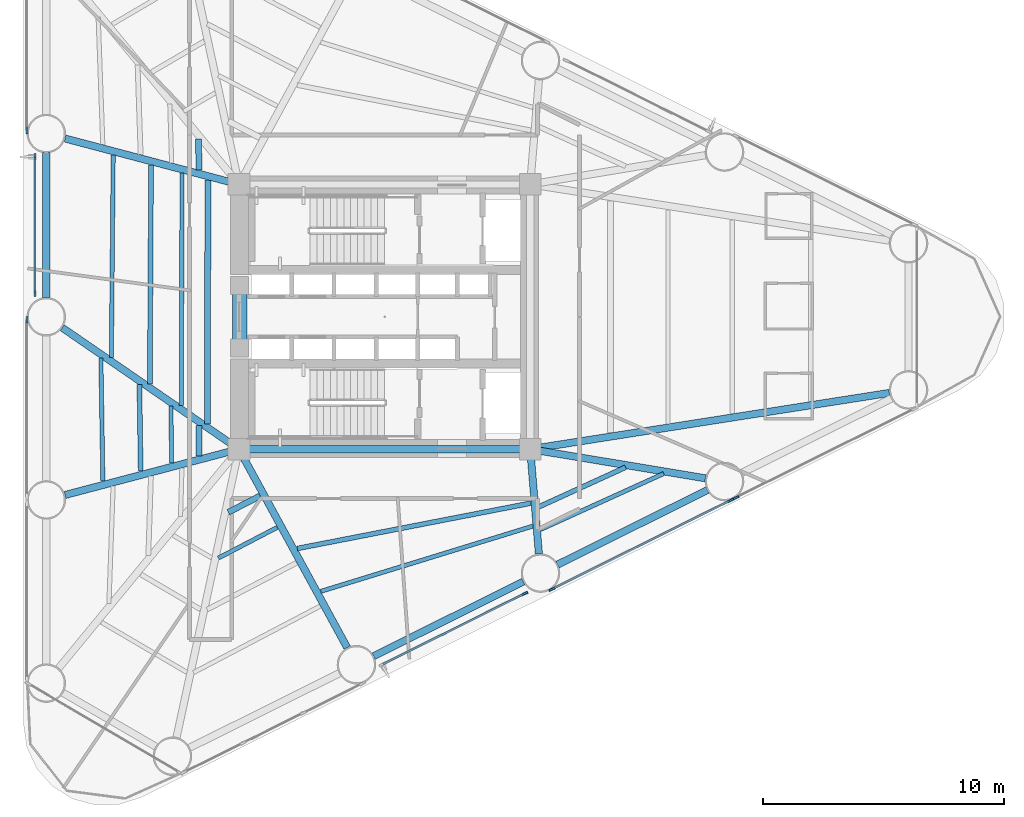
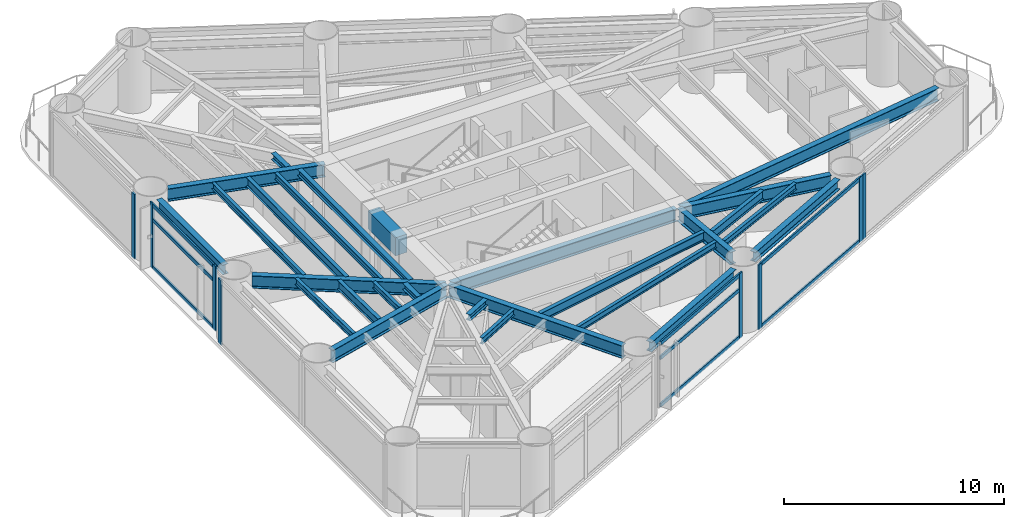
# One storey, part 2 of 10: 27 beams, 16 members, 6 elements without a shape of their own.
"""IFC4 building model written with IfcOpenShell, lengths in metres."""

from ifc_helpers import new_model, si_unit, direction, frame, origin, origin_2d, place, context, subcontext, project, spatial, rectangle, i_section, extrude, source, transform, mapped, material, layer, layer_set, material_profile, profile_set, type_object, element, aggregate, save


model = new_model("IFC4")

# Units and contexts
model_context = context("Model", 3, precision=1e-05, world=origin(), true_north=direction((0.0, 1.0)))
body_context = subcontext(model_context, "Body", "Model", "MODEL_VIEW")
ifc_project = project(units=[si_unit("LENGTHUNIT", "METRE"), si_unit("AREAUNIT", "SQUARE_METRE"), si_unit("VOLUMEUNIT", "CUBIC_METRE"), si_unit("PLANEANGLEUNIT", "RADIAN"), si_unit("MASSUNIT", "GRAM", prefix="KILO")], contexts=[model_context])

# Site, building, storey
site_placement = place(None, origin())
site = spatial("IfcSite", under=ifc_project, at=site_placement, CompositionType="ELEMENT")
building_placement = place(site_placement, origin())
building = spatial("IfcBuilding", under=site, at=building_placement, Name="Yunling Apex Tower", CompositionType="ELEMENT")
storey_placement = place(building_placement, frame((0.0, 0.0, 34.89990234375)))
storey = spatial("IfcBuildingStorey", under=building, at=storey_placement, Name="L10", CompositionType="ELEMENT", Elevation=34.89990234375)

# Beams
ifc_material_1 = material(Name="Concrete C60", Category="concrete")
ifc_material_profile_1 = material_profile(ifc_material_1, rectangle(XDim=0.60009765625, YDim=1.0, at=origin_2d()))
ifc_profile_set_1 = profile_set([ifc_material_profile_1], Name="Concrete C60")
beam_type_1 = type_object("IfcBeamType", Name="BC-CPL-1", PredefinedType="BEAM", material=ifc_profile_set_1)
shared_shape_1 = source(origin(), body_context, "Body", "SweptSolid", [
    extrude(rectangle(XDim=0.60009765625, YDim=1.0, at=origin_2d()), origin(), (0.0, 0.0, 1.0), 2.5),
])
beam_1_placement = place(storey_placement, frame((-6.02490234375, -1.25, 3.01513671875), z_axis=(0.0, 1.0, 0.0), x_axis=(-1.0, 0.0, 0.0)))
element("IfcBeam", 1, at=beam_1_placement, inside=storey, type_object=beam_type_1, Name="L10 Core West Portal Coupling Beam", PredefinedType="BEAM", context=body_context, shape_type="MappedRepresentation", body=[
    mapped(shared_shape_1, transform((0.0, 0.0, 0.0), scale=1.0)),
])
ifc_material_2 = material(Name="Steel Q355B", Category="steel")
ifc_material_profile_2 = material_profile(ifc_material_2, i_section(OverallWidth=0.300048828125, OverallDepth=0.699951171875, WebThickness=0.012939453125, FlangeThickness=0.02392578125, FilletRadius=0.02587890625, at=origin_2d()))
ifc_profile_set_2 = profile_set([ifc_material_profile_2], Name="Steel Q355B")
beam_type_2 = type_object("IfcBeamType", Name="BG-PRI-3", PredefinedType="USERDEFINED", material=ifc_profile_set_2)
shared_shape_2 = source(origin(), body_context, "Body", "SweptSolid", [
    extrude(i_section(OverallWidth=0.300048828125, OverallDepth=0.699951171875, WebThickness=0.012939453125, FlangeThickness=0.02392578125, FilletRadius=0.02587890625, at=origin_2d()), origin(), (0.0, 0.0, 1.0), 11.7998046875),
])
beam_2_placement = place(storey_placement, frame((-5.89990234375, -5.5, 3.1650390625), z_axis=(1.0, 0.0, 0.0), x_axis=(0.0, 1.0, 0.0)))
element("IfcBeam", 2, at=beam_2_placement, inside=storey, type_object=beam_type_2, Name="L10 Core Ring Tie Beam 1", ObjectType="GIRDER", PredefinedType="USERDEFINED", context=body_context, shape_type="MappedRepresentation", body=[
    mapped(shared_shape_2, transform((0.0, 0.0, 0.0), scale=1.0)),
])
ifc_material_profile_3 = material_profile(ifc_material_2, i_section(OverallWidth=0.300048828125, OverallDepth=0.5400390625, WebThickness=0.011962890625, FlangeThickness=0.02001953125, FilletRadius=0.02392578125, at=origin_2d()))
ifc_profile_set_3 = profile_set([ifc_material_profile_3], Name="Steel Q355B")
beam_type_3 = type_object("IfcBeamType", Name="BP-SPN-1", PredefinedType="SPANDREL", material=ifc_profile_set_3)
shared_shape_3 = source(origin(), body_context, "Body", "SweptSolid", [
    extrude(i_section(OverallWidth=0.300048828125, OverallDepth=0.5400390625, WebThickness=0.011962890625, FlangeThickness=0.02001953125, FilletRadius=0.02392578125, at=origin_2d()), origin(), (0.0, 0.0, 1.0), 6.950927734375),
])
beam_3_placement = place(storey_placement, frame((-0.456298828125, -14.099365234375, 3.2451171875), z_axis=(0.895247556401, 0.445569088646, 0.0), x_axis=(-0.445569088646, 0.895247556401, 0.0)))
element("IfcBeam", 3, at=beam_3_placement, inside=storey, type_object=beam_type_3, Name="L10 Perimeter Spandrel Beam 2", PredefinedType="SPANDREL", context=body_context, shape_type="MappedRepresentation", body=[
    mapped(shared_shape_3, transform((0.0, 0.0, 0.0), scale=1.0)),
])
shared_shape_4 = source(origin(), body_context, "Body", "SweptSolid", [
    extrude(i_section(OverallWidth=0.300048828125, OverallDepth=0.5400390625, WebThickness=0.011962890625, FlangeThickness=0.02001953125, FilletRadius=0.02392578125, at=origin_2d()), origin(), (0.0, 0.0, 1.0), 6.95068359375),
])
beam_4_placement = place(storey_placement, frame((7.188232421875, -10.29443359375, 3.2451171875), z_axis=(0.895254593944, 0.445554948375, 0.0), x_axis=(-0.445554948375, 0.895254593944, 0.0)))
element("IfcBeam", 4, at=beam_4_placement, inside=storey, type_object=beam_type_3, Name="L10 Perimeter Spandrel Beam 3", PredefinedType="SPANDREL", context=body_context, shape_type="MappedRepresentation", body=[
    mapped(shared_shape_4, transform((0.0, 0.0, 0.0), scale=1.0)),
])
shared_shape_5 = source(origin(), body_context, "Body", "SweptSolid", [
    extrude(i_section(OverallWidth=0.300048828125, OverallDepth=0.5400390625, WebThickness=0.011962890625, FlangeThickness=0.02001953125, FilletRadius=0.02392578125, at=origin_2d()), origin(), (0.0, 0.0, 1.0), 6.021484375),
])
beam_5_placement = place(storey_placement, frame((-14.052001953125, 6.8154296875, 3.2451171875), z_axis=(0.0, -1.0, 0.0), x_axis=(1.0, 0.0, 0.0)))
element("IfcBeam", 5, at=beam_5_placement, inside=storey, type_object=beam_type_3, Name="L10 Perimeter Spandrel Beam 12", PredefinedType="SPANDREL", context=body_context, shape_type="MappedRepresentation", body=[
    mapped(shared_shape_5, transform((0.0, 0.0, 0.0), scale=1.0)),
])
shared_shape_6 = source(origin(), body_context, "Body", "SweptSolid", [
    extrude(i_section(OverallWidth=0.300048828125, OverallDepth=0.699951171875, WebThickness=0.012939453125, FlangeThickness=0.02392578125, FilletRadius=0.02587890625, at=origin_2d()), origin(), (0.0, 0.0, 1.0), 9.31005859375),
])
beam_6_placement = place(storey_placement, frame((-1.553955078125, -13.74365234375, 3.1650390625), z_axis=(-0.478817221141, 0.877914613581, 0.0), x_axis=(-0.877914613581, -0.478817221141, 0.0)))
element("IfcBeam", 6, at=beam_6_placement, inside=storey, type_object=beam_type_2, Name="L10 Radial Primary Girder R02", ObjectType="GIRDER", PredefinedType="USERDEFINED", context=body_context, shape_type="MappedRepresentation", body=[
    mapped(shared_shape_6, transform((0.0, 0.0, 0.0), scale=1.0)),
])
shared_shape_7 = source(origin(), body_context, "Body", "SweptSolid", [
    extrude(i_section(OverallWidth=0.300048828125, OverallDepth=0.699951171875, WebThickness=0.012939453125, FlangeThickness=0.02392578125, FilletRadius=0.02587890625, at=origin_2d()), origin(), (0.0, 0.0, 1.0), 4.278076171875),
])
beam_7_placement = place(storey_placement, frame((6.41064453125, -9.843017578125, 3.1650390625), z_axis=(-0.082747937789, 0.996570508691, 0.0), x_axis=(-0.996570508691, -0.082747937789, 0.0)))
element("IfcBeam", 7, at=beam_7_placement, inside=storey, type_object=beam_type_2, Name="L10 Radial Primary Girder R03", ObjectType="GIRDER", PredefinedType="USERDEFINED", context=body_context, shape_type="MappedRepresentation", body=[
    mapped(shared_shape_7, transform((0.0, 0.0, 0.0), scale=1.0)),
])
shared_shape_8 = source(origin(), body_context, "Body", "SweptSolid", [
    extrude(i_section(OverallWidth=0.300048828125, OverallDepth=0.699951171875, WebThickness=0.012939453125, FlangeThickness=0.02392578125, FilletRadius=0.02587890625, at=origin_2d()), origin(), (0.0, 0.0, 1.0), 7.294921875),
])
beam_8_placement = place(storey_placement, frame((13.32470703125, -6.7109375, 3.1650390625), z_axis=(-0.98642827455, 0.164192750049, 0.0), x_axis=(-0.164192750049, -0.98642827455, 0.0)))
element("IfcBeam", 8, at=beam_8_placement, inside=storey, type_object=beam_type_2, Name="L10 Radial Primary Girder R04", ObjectType="GIRDER", PredefinedType="USERDEFINED", context=body_context, shape_type="MappedRepresentation", body=[
    mapped(shared_shape_8, transform((0.0, 0.0, 0.0), scale=1.0)),
])
shared_shape_9 = source(origin(), body_context, "Body", "SweptSolid", [
    extrude(i_section(OverallWidth=0.300048828125, OverallDepth=0.699951171875, WebThickness=0.012939453125, FlangeThickness=0.02392578125, FilletRadius=0.02587890625, at=origin_2d()), origin(), (0.0, 0.0, 1.0), 15.02001953125),
])
beam_9_placement = place(storey_placement, frame((20.968017578125, -3.163818359375, 3.1650390625), z_axis=(-0.987959991473, -0.154709583568, 0.0), x_axis=(0.154709583568, -0.987959991473, 0.0)))
element("IfcBeam", 9, at=beam_9_placement, inside=storey, type_object=beam_type_2, Name="L10 Radial Primary Girder R05", ObjectType="GIRDER", PredefinedType="USERDEFINED", context=body_context, shape_type="MappedRepresentation", body=[
    mapped(shared_shape_9, transform((0.0, 0.0, 0.0), scale=1.0)),
])
shared_shape_10 = source(origin(), body_context, "Body", "SweptSolid", [
    extrude(i_section(OverallWidth=0.300048828125, OverallDepth=0.699951171875, WebThickness=0.012939453125, FlangeThickness=0.02392578125, FilletRadius=0.02587890625, at=origin_2d()), origin(), (0.0, 0.0, 1.0), 7.387451171875),
])
for number, where, z_axis, x_axis, name in (
    (10, (-13.270751953125, 7.403564453125, 3.1650390625), (0.966966571797, -0.25490321502, 0.0), (0.25490321502, 0.966966571797, 0.0), "L10 Radial Primary Girder R12"),
    (11, (-13.270751953125, -7.403564453125, 3.1650390625), (0.966966571797, 0.25490321502, 0.0), (-0.25490321502, 0.966966571797, 0.0), "L10 Radial Primary Girder R14"),
):
    element("IfcBeam", number, at=place(storey_placement, frame(where, z_axis=z_axis, x_axis=x_axis)), inside=storey, type_object=beam_type_2, Name=name, ObjectType="GIRDER", PredefinedType="USERDEFINED", context=body_context, shape_type="MappedRepresentation", body=[
        mapped(shared_shape_10, transform((0.0, 0.0, 0.0), scale=1.0)),
    ])
shared_shape_11 = source(origin(), body_context, "Body", "SweptSolid", [
    extrude(i_section(OverallWidth=0.300048828125, OverallDepth=0.699951171875, WebThickness=0.012939453125, FlangeThickness=0.02392578125, FilletRadius=0.02587890625, at=origin_2d()), origin(), (0.0, 0.0, 1.0), 8.821533203125),
])
beam_10_placement = place(storey_placement, frame((-13.385986328125, -0.457763671875, 3.1650390625), z_axis=(0.824111362877, -0.566427807912, 0.0), x_axis=(0.566427807912, 0.824111362877, 0.0)))
element("IfcBeam", 12, at=beam_10_placement, inside=storey, type_object=beam_type_2, Name="L10 Radial Primary Girder R13", ObjectType="GIRDER", PredefinedType="USERDEFINED", context=body_context, shape_type="MappedRepresentation", body=[
    mapped(shared_shape_11, transform((0.0, 0.0, 0.0), scale=1.0)),
])
ifc_material_profile_4 = material_profile(ifc_material_2, i_section(OverallWidth=0.175048828125, OverallDepth=0.35009765625, WebThickness=0.007080078125, FlangeThickness=0.010986328125, FilletRadius=0.013916015625, at=origin_2d()))
ifc_profile_set_4 = profile_set([ifc_material_profile_4], Name="Steel Q355B")
beam_type_4 = type_object("IfcBeamType", Name="BJ-JST-1", PredefinedType="JOIST", material=ifc_profile_set_4)
shared_shape_12 = source(origin(), body_context, "Body", "SweptSolid", [
    extrude(i_section(OverallWidth=0.175048828125, OverallDepth=0.35009765625, WebThickness=0.007080078125, FlangeThickness=0.010986328125, FilletRadius=0.013916015625, at=origin_2d()), origin(), (0.0, 0.0, 1.0), 2.7548828125),
])
beam_11_placement = place(storey_placement, frame((-6.903076171875, -10.0224609375, 3.340087890625), z_axis=(0.886932237595, 0.461899562584, 0.0), x_axis=(-0.461899562584, 0.886932237595, 0.0)))
element("IfcBeam", 13, at=beam_11_placement, inside=storey, type_object=beam_type_4, Name="L10 Composite Floor Joist BJ3-1", PredefinedType="JOIST", context=body_context, shape_type="MappedRepresentation", body=[
    mapped(shared_shape_12, transform((0.0, 0.0, 0.0), scale=1.0)),
])
ifc_material_profile_5 = material_profile(ifc_material_2, i_section(OverallWidth=0.25, OverallDepth=0.340087890625, WebThickness=0.009033203125, FlangeThickness=0.013916015625, FilletRadius=0.01806640625, at=origin_2d()))
ifc_profile_set_5 = profile_set([ifc_material_profile_5], Name="Steel Q355B")
beam_type_5 = type_object("IfcBeamType", Name="BJ-JST-2", PredefinedType="JOIST", material=ifc_profile_set_5)
shared_shape_13 = source(origin(), body_context, "Body", "SweptSolid", [
    extrude(i_section(OverallWidth=0.25, OverallDepth=0.340087890625, WebThickness=0.009033203125, FlangeThickness=0.013916015625, FilletRadius=0.01806640625, at=origin_2d()), origin(), (0.0, 0.0, 1.0), 1.482421875),
])
beam_12_placement = place(storey_placement, frame((-6.490966796875, -8.12060546875, 3.34521484375), z_axis=(0.888960334438, 0.457984196012, 0.0), x_axis=(-0.457984196012, 0.888960334438, 0.0)))
element("IfcBeam", 14, at=beam_12_placement, inside=storey, type_object=beam_type_5, Name="L10 Composite Floor Joist BJ2-1", PredefinedType="JOIST", context=body_context, shape_type="MappedRepresentation", body=[
    mapped(shared_shape_13, transform((0.0, 0.0, 0.0), scale=1.0)),
])
ifc_material_profile_6 = material_profile(ifc_material_2, i_section(OverallWidth=0.199951171875, OverallDepth=0.5, WebThickness=0.010009765625, FlangeThickness=0.01611328125, FilletRadius=0.02001953125, at=origin_2d()))
ifc_profile_set_6 = profile_set([ifc_material_profile_6], Name="Steel Q355B")
beam_type_6 = type_object("IfcBeamType", Name="BS-SEC-2", PredefinedType="BEAM", material=ifc_profile_set_6)
shared_shape_14 = source(origin(), body_context, "Body", "SweptSolid", [
    extrude(i_section(OverallWidth=0.199951171875, OverallDepth=0.5, WebThickness=0.010009765625, FlangeThickness=0.01611328125, FilletRadius=0.02001953125, at=origin_2d()), origin(), (0.0, 0.0, 1.0), 9.883544921875),
])
beam_13_placement = place(storey_placement, frame((-3.625732421875, -9.62646484375, 3.26513671875), z_axis=(0.981653423938, 0.190673950161, 0.0), x_axis=(-0.190673950161, 0.981653423938, 0.0)))
element("IfcBeam", 15, at=beam_13_placement, inside=storey, type_object=beam_type_6, Name="L10 Composite Floor Beam BS-2", PredefinedType="BEAM", context=body_context, shape_type="MappedRepresentation", body=[
    mapped(shared_shape_14, transform((0.0, 0.0, 0.0), scale=1.0)),
])
shared_shape_15 = source(origin(), body_context, "Body", "SweptSolid", [
    extrude(i_section(OverallWidth=0.175048828125, OverallDepth=0.35009765625, WebThickness=0.007080078125, FlangeThickness=0.010986328125, FilletRadius=0.013916015625, at=origin_2d()), origin(), (0.0, 0.0, 1.0), 9.2158203125),
])
beam_14_placement = place(storey_placement, frame((-2.649169921875, -11.407958984375, 3.340087890625), z_axis=(0.955731454849, 0.294240354492, 0.0), x_axis=(-0.294240354492, 0.955731454849, 0.0)))
element("IfcBeam", 16, at=beam_14_placement, inside=storey, type_object=beam_type_4, Name="L10 Composite Floor Joist BJ1-2", PredefinedType="JOIST", context=body_context, shape_type="MappedRepresentation", body=[
    mapped(shared_shape_15, transform((0.0, 0.0, 0.0), scale=1.0)),
])
shared_shape_16 = source(origin(), body_context, "Body", "SweptSolid", [
    extrude(i_section(OverallWidth=0.199951171875, OverallDepth=0.5, WebThickness=0.010009765625, FlangeThickness=0.01611328125, FilletRadius=0.02001953125, at=origin_2d()), origin(), (0.0, 0.0, 1.0), 3.971923828125),
])
beam_15_placement = place(storey_placement, frame((6.400390625, -7.900634765625, 3.26513671875), z_axis=(0.909609234888, 0.415464847858, 0.0), x_axis=(-0.415464847858, 0.909609234888, 0.0)))
element("IfcBeam", 17, at=beam_15_placement, inside=storey, type_object=beam_type_6, Name="L10 Composite Floor Beam BS-3", PredefinedType="BEAM", context=body_context, shape_type="MappedRepresentation", body=[
    mapped(shared_shape_16, transform((0.0, 0.0, 0.0), scale=1.0)),
])
shared_shape_17 = source(origin(), body_context, "Body", "SweptSolid", [
    extrude(i_section(OverallWidth=0.175048828125, OverallDepth=0.35009765625, WebThickness=0.007080078125, FlangeThickness=0.010986328125, FilletRadius=0.013916015625, at=origin_2d()), origin(), (0.0, 0.0, 1.0), 5.62109375),
])
beam_16_placement = place(storey_placement, frame((6.478515625, -8.839111328125, 3.340087890625), z_axis=(0.910411095702, 0.413704770124, 0.0), x_axis=(-0.413704770124, 0.910411095702, 0.0)))
element("IfcBeam", 18, at=beam_16_placement, inside=storey, type_object=beam_type_4, Name="L10 Composite Floor Joist BJ1-3", PredefinedType="JOIST", context=body_context, shape_type="MappedRepresentation", body=[
    mapped(shared_shape_17, transform((0.0, 0.0, 0.0), scale=1.0)),
])
shared_shape_18 = source(origin(), body_context, "Body", "SweptSolid", [
    extrude(i_section(OverallWidth=0.25, OverallDepth=0.340087890625, WebThickness=0.009033203125, FlangeThickness=0.013916015625, FilletRadius=0.01806640625, at=origin_2d()), origin(), (0.0, 0.0, 1.0), 1.294921875),
])
beam_17_placement = place(storey_placement, frame((-7.7333984375, 7.38916015625, 3.34521484375), z_axis=(0.023753431789, -0.999717847434, 0.0), x_axis=(0.999717847434, 0.023753431789, 0.0)))
element("IfcBeam", 19, at=beam_17_placement, inside=storey, type_object=beam_type_5, Name="L10 Composite Floor Joist BJ2-11", PredefinedType="JOIST", context=body_context, shape_type="MappedRepresentation", body=[
    mapped(shared_shape_18, transform((0.0, 0.0, 0.0), scale=1.0)),
])
shared_shape_19 = source(origin(), body_context, "Body", "SweptSolid", [
    extrude(i_section(OverallWidth=0.199951171875, OverallDepth=0.5, WebThickness=0.010009765625, FlangeThickness=0.01611328125, FilletRadius=0.02001953125, at=origin_2d()), origin(), (0.0, 0.0, 1.0), 9.098388671875),
])
beam_18_placement = place(storey_placement, frame((-9.699951171875, 6.302001953125, 3.26513671875), z_axis=(-0.005500909631, -0.999984869882, 0.0), x_axis=(0.999984869882, -0.005500909631, 0.0)))
element("IfcBeam", 20, at=beam_18_placement, inside=storey, type_object=beam_type_6, Name="L10 Composite Floor Beam BS-12", PredefinedType="BEAM", context=body_context, shape_type="MappedRepresentation", body=[
    mapped(shared_shape_19, transform((0.0, 0.0, 0.0), scale=1.0)),
])
shared_shape_20 = source(origin(), body_context, "Body", "SweptSolid", [
    extrude(i_section(OverallWidth=0.175048828125, OverallDepth=0.35009765625, WebThickness=0.007080078125, FlangeThickness=0.010986328125, FilletRadius=0.013916015625, at=origin_2d()), origin(), (0.0, 0.0, 1.0), 8.41357421875),
])
beam_19_placement = place(storey_placement, frame((-11.27197265625, 6.71630859375, 3.340087890625), z_axis=(-0.009169400639, -0.999957960162, 0.0), x_axis=(0.999957960162, -0.009169400639, 0.0)))
element("IfcBeam", 21, at=beam_19_placement, inside=storey, type_object=beam_type_4, Name="L10 Composite Floor Joist BJ1-12", PredefinedType="JOIST", context=body_context, shape_type="MappedRepresentation", body=[
    mapped(shared_shape_20, transform((0.0, 0.0, 0.0), scale=1.0)),
])
shared_shape_21 = source(origin(), body_context, "Body", "SweptSolid", [
    extrude(i_section(OverallWidth=0.175048828125, OverallDepth=0.35009765625, WebThickness=0.007080078125, FlangeThickness=0.010986328125, FilletRadius=0.013916015625, at=origin_2d()), origin(), (0.0, 0.0, 1.0), 9.65869140625),
])
beam_20_placement = place(storey_placement, frame((-8.413818359375, 5.962890625, 3.340087890625), z_axis=(-0.002906817505, -0.999995775197, 0.0), x_axis=(0.999995775197, -0.002906817505, 0.0)))
element("IfcBeam", 22, at=beam_20_placement, inside=storey, type_object=beam_type_4, Name="L10 Composite Floor Joist BJ3-12", PredefinedType="JOIST", context=body_context, shape_type="MappedRepresentation", body=[
    mapped(shared_shape_21, transform((0.0, 0.0, 0.0), scale=1.0)),
])
shared_shape_22 = source(origin(), body_context, "Body", "SweptSolid", [
    extrude(i_section(OverallWidth=0.25, OverallDepth=0.340087890625, WebThickness=0.009033203125, FlangeThickness=0.013916015625, FilletRadius=0.01806640625, at=origin_2d()), origin(), (0.0, 0.0, 1.0), 10.125732421875),
])
beam_21_placement = place(storey_placement, frame((-7.341796875, 5.680419921875, 3.34521484375), z_axis=(-0.000988546835, -0.999999511387, 0.0), x_axis=(0.999999511387, -0.000988546835, 0.0)))
element("IfcBeam", 23, at=beam_21_placement, inside=storey, type_object=beam_type_5, Name="L10 Composite Floor Joist BJ2-12", PredefinedType="JOIST", context=body_context, shape_type="MappedRepresentation", body=[
    mapped(shared_shape_22, transform((0.0, 0.0, 0.0), scale=1.0)),
])
shared_shape_23 = source(origin(), body_context, "Body", "SweptSolid", [
    extrude(i_section(OverallWidth=0.199951171875, OverallDepth=0.5, WebThickness=0.010009765625, FlangeThickness=0.01611328125, FilletRadius=0.02001953125, at=origin_2d()), origin(), (0.0, 0.0, 1.0), 3.59912109375),
])
beam_22_placement = place(storey_placement, frame((-10.184814453125, -2.81640625, 3.26513671875), z_axis=(0.015194989083, -0.999884549489, 0.0), x_axis=(0.999884549489, 0.015194989083, 0.0)))
element("IfcBeam", 24, at=beam_22_placement, inside=storey, type_object=beam_type_6, Name="L10 Composite Floor Beam BS-13", PredefinedType="BEAM", context=body_context, shape_type="MappedRepresentation", body=[
    mapped(shared_shape_23, transform((0.0, 0.0, 0.0), scale=1.0)),
])
shared_shape_24 = source(origin(), body_context, "Body", "SweptSolid", [
    extrude(i_section(OverallWidth=0.175048828125, OverallDepth=0.35009765625, WebThickness=0.007080078125, FlangeThickness=0.010986328125, FilletRadius=0.013916015625, at=origin_2d()), origin(), (0.0, 0.0, 1.0), 5.11279296875),
])
beam_23_placement = place(storey_placement, frame((-11.7841796875, -1.717041015625, 3.340087890625), z_axis=(0.016092285311, -0.999870510793, 0.0), x_axis=(0.999870510793, 0.016092285311, 0.0)))
element("IfcBeam", 25, at=beam_23_placement, inside=storey, type_object=beam_type_4, Name="L10 Composite Floor Joist BJ1-13", PredefinedType="JOIST", context=body_context, shape_type="MappedRepresentation", body=[
    mapped(shared_shape_24, transform((0.0, 0.0, 0.0), scale=1.0)),
])
shared_shape_25 = source(origin(), body_context, "Body", "SweptSolid", [
    extrude(i_section(OverallWidth=0.175048828125, OverallDepth=0.35009765625, WebThickness=0.007080078125, FlangeThickness=0.010986328125, FilletRadius=0.013916015625, at=origin_2d()), origin(), (0.0, 0.0, 1.0), 2.3603515625),
])
beam_24_placement = place(storey_placement, frame((-8.87646484375, -3.7158203125, 3.340087890625), z_axis=(0.013756844339, -0.99990537014, 0.0), x_axis=(0.99990537014, 0.013756844339, 0.0)))
element("IfcBeam", 26, at=beam_24_placement, inside=storey, type_object=beam_type_4, Name="L10 Composite Floor Joist BJ3-13", PredefinedType="JOIST", context=body_context, shape_type="MappedRepresentation", body=[
    mapped(shared_shape_25, transform((0.0, 0.0, 0.0), scale=1.0)),
])
shared_shape_26 = source(origin(), body_context, "Body", "SweptSolid", [
    extrude(i_section(OverallWidth=0.25, OverallDepth=0.340087890625, WebThickness=0.009033203125, FlangeThickness=0.013916015625, FilletRadius=0.01806640625, at=origin_2d()), origin(), (0.0, 0.0, 1.0), 1.25927734375),
])
beam_25_placement = place(storey_placement, frame((-7.713623046875, -4.515380859375, 3.34521484375), z_axis=(0.010274758105, -0.99994721328, 0.0), x_axis=(0.99994721328, 0.010274758105, 0.0)))
element("IfcBeam", 27, at=beam_25_placement, inside=storey, type_object=beam_type_5, Name="L10 Composite Floor Joist BJ2-13", PredefinedType="JOIST", context=body_context, shape_type="MappedRepresentation", body=[
    mapped(shared_shape_26, transform((0.0, 0.0, 0.0), scale=1.0)),
])

# Curtain wall, member
ifc_material_3 = material(Name="Bronze anodised aluminium", Category="aluminium")
ifc_layer = layer(ifc_material_3, 0.260009765625)
ifc_layer_set = layer_set([ifc_layer], Name="Bronze anodised aluminium")
curtain_wall_type = type_object("IfcCurtainWallType", Name="CW-SYS-2", PredefinedType="NOTDEFINED", material=ifc_layer_set)
curtain_wall_1_placement = place(storey_placement, origin())
curtain_wall_1 = element("IfcCurtainWall", 28, at=curtain_wall_1_placement, inside=storey, type_object=curtain_wall_type, Name="CW-L10-F1-B2", PredefinedType="NOTDEFINED")
ifc_material_profile_7 = material_profile(ifc_material_3, rectangle(XDim=0.0849609375, YDim=0.260009765625, at=origin_2d()))
ifc_profile_set_7 = profile_set([ifc_material_profile_7], Name="Bronze anodised aluminium")
member_type_1 = type_object("IfcMemberType", Name="CW-MUL-2", PredefinedType="MULLION", material=ifc_profile_set_7)
shared_shape_27 = source(origin(), body_context, "Body", "SweptSolid", [
    extrude(rectangle(XDim=0.0849609375, YDim=0.260009765625, at=origin_2d()), origin(), (0.0, 0.0, 1.0), 3.614990234375),
])
member_1_placement = place(storey_placement, frame((5.8251953125, -11.498046875, -0.0498046875), z_axis=(0.0, 0.0, 1.0), x_axis=(-0.445582781121, 0.895240741459, 0.0)))
member_1 = element("IfcMember", 29, at=member_1_placement, type_object=member_type_1, Name="CW-SYS-2 mullion 2", PredefinedType="MULLION", context=body_context, shape_type="MappedRepresentation", body=[
    mapped(shared_shape_27, transform((0.0, 0.0, 0.0), scale=1.0)),
])

# Curtain wall, members
curtain_wall_2_placement = place(storey_placement, origin())
curtain_wall_2 = element("IfcCurtainWall", 30, at=curtain_wall_2_placement, inside=storey, type_object=curtain_wall_type, Name="CW-L10-F1-B3", PredefinedType="NOTDEFINED")
member_2_placement = place(storey_placement, frame((6.947998046875, -11.31884765625, -0.0498046875), z_axis=(0.0, 0.0, 1.0), x_axis=(-0.445570625003, 0.895246791748, 0.0)))
member_2 = element("IfcMember", 31, at=member_2_placement, type_object=member_type_1, Name="CW-SYS-2 mullion 1", PredefinedType="MULLION", context=body_context, shape_type="MappedRepresentation", body=[
    mapped(shared_shape_27, transform((0.0, 0.0, 0.0), scale=1.0)),
])
member_3_placement = place(storey_placement, frame((14.373046875, -7.623291015625, -0.0498046875), z_axis=(0.0, 0.0, 1.0), x_axis=(-0.445570625003, 0.895246791748, 0.0)))
member_3 = element("IfcMember", 32, at=member_3_placement, type_object=member_type_1, Name="CW-SYS-2 mullion 2", PredefinedType="MULLION", context=body_context, shape_type="MappedRepresentation", body=[
    mapped(shared_shape_27, transform((0.0, 0.0, 0.0), scale=1.0)),
])

# Curtain wall, member
curtain_wall_3_placement = place(storey_placement, origin())
curtain_wall_3 = element("IfcCurtainWall", 33, at=curtain_wall_3_placement, inside=storey, type_object=curtain_wall_type, Name="CW-L10-F1-B4", PredefinedType="NOTDEFINED")
member_4_placement = place(storey_placement, frame((14.59228515625, -7.51416015625, -0.0498046875), z_axis=(0.0, 0.0, 1.0), x_axis=(-0.445580190214, 0.895242031011, 0.0)))
member_4 = element("IfcMember", 34, at=member_4_placement, type_object=member_type_1, Name="CW-SYS-2 mullion 1", PredefinedType="MULLION", context=body_context, shape_type="MappedRepresentation", body=[
    mapped(shared_shape_27, transform((0.0, 0.0, 0.0), scale=1.0)),
])
aggregate(curtain_wall_3, [member_4])

curtain_wall_4_placement = place(storey_placement, origin())
curtain_wall_4 = element("IfcCurtainWall", 35, at=curtain_wall_4_placement, inside=storey, type_object=curtain_wall_type, Name="CW-L10-F3-B1", PredefinedType="NOTDEFINED")
member_5_placement = place(storey_placement, frame((-14.862060546875, 7.73193359375, -0.0498046875), z_axis=(0.0, 0.0, 1.0), x_axis=(1.0, 0.0, 0.0)))
member_5 = element("IfcMember", 36, at=member_5_placement, type_object=member_type_1, Name="CW-SYS-2 mullion 2", PredefinedType="MULLION", context=body_context, shape_type="MappedRepresentation", body=[
    mapped(shared_shape_27, transform((0.0, 0.0, 0.0), scale=1.0)),
])
aggregate(curtain_wall_4, [member_5])

# Curtain wall, members
curtain_wall_5_placement = place(storey_placement, origin())
curtain_wall_5 = element("IfcCurtainWall", 37, at=curtain_wall_5_placement, inside=storey, type_object=curtain_wall_type, Name="CW-L10-F3-B2", PredefinedType="NOTDEFINED")
member_6_placement = place(storey_placement, frame((-14.52197265625, 6.64697265625, -0.0498046875), z_axis=(0.0, 0.0, 1.0), x_axis=(1.0, 0.0, 0.0)))
member_6 = element("IfcMember", 38, at=member_6_placement, type_object=member_type_1, Name="CW-SYS-2 mullion 1", PredefinedType="MULLION", context=body_context, shape_type="MappedRepresentation", body=[
    mapped(shared_shape_27, transform((0.0, 0.0, 0.0), scale=1.0)),
])
member_7_placement = place(storey_placement, frame((-14.52197265625, 0.96240234375, -0.0498046875), z_axis=(0.0, 0.0, 1.0), x_axis=(1.0, 0.0, 0.0)))
member_7 = element("IfcMember", 39, at=member_7_placement, type_object=member_type_1, Name="CW-SYS-2 mullion 2", PredefinedType="MULLION", context=body_context, shape_type="MappedRepresentation", body=[
    mapped(shared_shape_27, transform((0.0, 0.0, 0.0), scale=1.0)),
])

# Curtain wall, member
curtain_wall_6_placement = place(storey_placement, origin())
curtain_wall_6 = element("IfcCurtainWall", 40, at=curtain_wall_6_placement, inside=storey, type_object=curtain_wall_type, Name="CW-L10-F3-B3", PredefinedType="NOTDEFINED")
member_8_placement = place(storey_placement, frame((-14.862060546875, -0.12255859375, -0.0498046875), z_axis=(0.0, 0.0, 1.0), x_axis=(1.0, 0.0, 0.0)))
member_8 = element("IfcMember", 41, at=member_8_placement, type_object=member_type_1, Name="CW-SYS-2 mullion 1", PredefinedType="MULLION", context=body_context, shape_type="MappedRepresentation", body=[
    mapped(shared_shape_27, transform((0.0, 0.0, 0.0), scale=1.0)),
])
aggregate(curtain_wall_6, [member_8])

# Member
ifc_material_profile_8 = material_profile(ifc_material_3, rectangle(XDim=0.0849609375, YDim=0.199951171875, at=origin_2d()))
ifc_profile_set_8 = profile_set([ifc_material_profile_8], Name="Bronze anodised aluminium")
member_type_2 = type_object("IfcMemberType", Name="CW-TRN-2", PredefinedType="USERDEFINED", material=ifc_profile_set_8)
shared_shape_28 = source(origin(), body_context, "Body", "SweptSolid", [
    extrude(rectangle(XDim=0.0849609375, YDim=0.199951171875, at=origin_2d()), origin(), (0.0, 0.0, 1.0), 8.217529296875),
])
member_9_placement = place(storey_placement, frame((6.982177734375, -11.3017578125, 0.04248046875), z_axis=(0.895251603772, 0.445560956485, 0.0), x_axis=(-0.445560956485, 0.895251603772, 0.0)))
member_9 = element("IfcMember", 42, at=member_9_placement, type_object=member_type_2, Name="CW-SYS-2 transom 1.1", ObjectType="TRANSOM", PredefinedType="USERDEFINED", context=body_context, shape_type="MappedRepresentation", body=[
    mapped(shared_shape_28, transform((0.0, 0.0, 0.0), scale=1.0)),
])

member_10_placement = place(storey_placement, frame((6.982177734375, -11.3017578125, 3.47265625), z_axis=(0.895251603772, 0.445560956485, 0.0), x_axis=(-0.445560956485, 0.895251603772, 0.0)))
member_10 = element("IfcMember", 43, at=member_10_placement, type_object=member_type_2, Name="CW-SYS-2 transom 1.2", ObjectType="TRANSOM", PredefinedType="USERDEFINED", context=body_context, shape_type="MappedRepresentation", body=[
    mapped(shared_shape_28, transform((0.0, 0.0, 0.0), scale=1.0)),
])

aggregate(curtain_wall_2, [member_2, member_3, member_9, member_10])

shared_shape_29 = source(origin(), body_context, "Body", "SweptSolid", [
    extrude(rectangle(XDim=0.0849609375, YDim=0.199951171875, at=origin_2d()), origin(), (0.0, 0.0, 1.0), 6.53759765625),
])
member_11_placement = place(storey_placement, frame((-0.061767578125, -14.427978515625, 0.04248046875), z_axis=(0.89523980106, 0.445584670515, 0.0), x_axis=(-0.445584670515, 0.89523980106, 0.0)))
member_11 = element("IfcMember", 44, at=member_11_placement, type_object=member_type_2, Name="CW-SYS-2 transom 1.1", ObjectType="TRANSOM", PredefinedType="USERDEFINED", context=body_context, shape_type="MappedRepresentation", body=[
    mapped(shared_shape_29, transform((0.0, 0.0, 0.0), scale=1.0)),
])

member_12_placement = place(storey_placement, frame((-0.061767578125, -14.427978515625, 2.67138671875), z_axis=(0.89523980106, 0.445584670515, 0.0), x_axis=(-0.445584670515, 0.89523980106, 0.0)))
member_12 = element("IfcMember", 45, at=member_12_placement, type_object=member_type_2, Name="CW-SYS-2 transom 1.2", ObjectType="TRANSOM", PredefinedType="USERDEFINED", context=body_context, shape_type="MappedRepresentation", body=[
    mapped(shared_shape_29, transform((0.0, 0.0, 0.0), scale=1.0)),
])

member_13_placement = place(storey_placement, frame((-0.061767578125, -14.427978515625, 3.47265625), z_axis=(0.89523980106, 0.445584670515, 0.0), x_axis=(-0.445584670515, 0.89523980106, 0.0)))
member_13 = element("IfcMember", 46, at=member_13_placement, type_object=member_type_2, Name="CW-SYS-2 transom 1.3", ObjectType="TRANSOM", PredefinedType="USERDEFINED", context=body_context, shape_type="MappedRepresentation", body=[
    mapped(shared_shape_29, transform((0.0, 0.0, 0.0), scale=1.0)),
])

aggregate(curtain_wall_1, [member_1, member_11, member_12, member_13])

shared_shape_30 = source(origin(), body_context, "Body", "SweptSolid", [
    extrude(rectangle(XDim=0.0849609375, YDim=0.199951171875, at=origin_2d()), origin(), (0.0, 0.0, 1.0), 5.60791015625),
])
member_14_placement = place(storey_placement, frame((-14.52197265625, 6.608642578125, 0.04248046875), z_axis=(0.0, -1.0, 0.0), x_axis=(1.0, 0.0, 0.0)))
member_14 = element("IfcMember", 47, at=member_14_placement, type_object=member_type_2, Name="CW-SYS-2 transom 1.1", ObjectType="TRANSOM", PredefinedType="USERDEFINED", context=body_context, shape_type="MappedRepresentation", body=[
    mapped(shared_shape_30, transform((0.0, 0.0, 0.0), scale=1.0)),
])

member_15_placement = place(storey_placement, frame((-14.52197265625, 6.608642578125, 2.67138671875), z_axis=(0.0, -1.0, 0.0), x_axis=(1.0, 0.0, 0.0)))
member_15 = element("IfcMember", 48, at=member_15_placement, type_object=member_type_2, Name="CW-SYS-2 transom 1.2", ObjectType="TRANSOM", PredefinedType="USERDEFINED", context=body_context, shape_type="MappedRepresentation", body=[
    mapped(shared_shape_30, transform((0.0, 0.0, 0.0), scale=1.0)),
])

member_16_placement = place(storey_placement, frame((-14.52197265625, 6.608642578125, 3.47265625), z_axis=(0.0, -1.0, 0.0), x_axis=(1.0, 0.0, 0.0)))
member_16 = element("IfcMember", 49, at=member_16_placement, type_object=member_type_2, Name="CW-SYS-2 transom 1.3", ObjectType="TRANSOM", PredefinedType="USERDEFINED", context=body_context, shape_type="MappedRepresentation", body=[
    mapped(shared_shape_30, transform((0.0, 0.0, 0.0), scale=1.0)),
])

aggregate(curtain_wall_5, [member_6, member_7, member_14, member_15, member_16])

save(model, "model.ifc")
